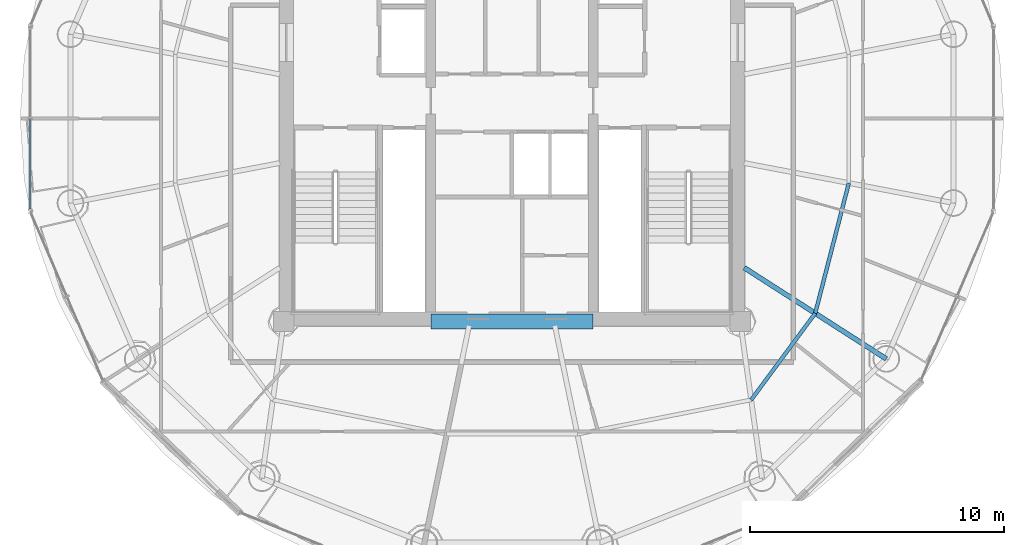
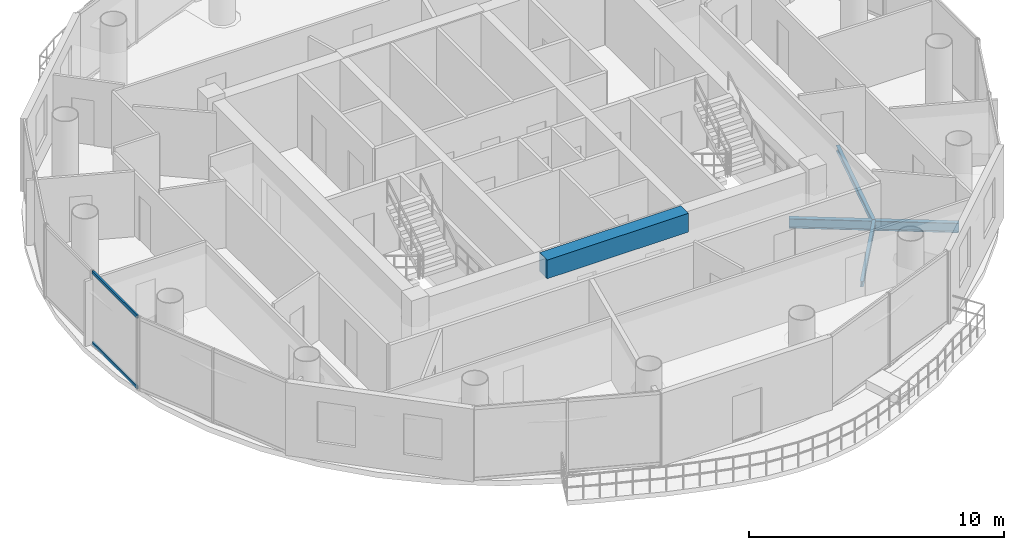
# One storey, part 6 of 21: 4 beams, 2 members, 1 element without a shape of its own.
"""IFC4 building model written with IfcOpenShell, lengths in metres."""

from ifc_helpers import new_model, si_unit, direction, frame, origin, origin_2d, place, context, subcontext, project, spatial, rectangle, hollow_rectangle, i_section, extrude, source, transform, mapped, material, material_profile, profile_set, type_object, element, aggregate, save


model = new_model("IFC4")

# Units and contexts
model_context = context("Model", 3, precision=1e-05, world=origin(), true_north=direction((-0.2419218956, 0.970295726276)))
body_context = subcontext(model_context, "Body", "Model", "MODEL_VIEW")
ifc_project = project(units=[si_unit("LENGTHUNIT", "METRE"), si_unit("AREAUNIT", "SQUARE_METRE"), si_unit("VOLUMEUNIT", "CUBIC_METRE"), si_unit("PLANEANGLEUNIT", "RADIAN"), si_unit("MASSUNIT", "GRAM", prefix="KILO")], contexts=[model_context])

# Site, building, storey
site_placement = place(None, origin())
site = spatial("IfcSite", under=ifc_project, at=site_placement, CompositionType="ELEMENT")
building_placement = place(site_placement, origin())
building = spatial("IfcBuilding", under=site, at=building_placement, Name="Cobrevalo Terracotta Tower", CompositionType="ELEMENT")
storey_placement = place(building_placement, frame((0.0, 0.0, 281.949951171875)))
storey = spatial("IfcBuildingStorey", under=building, at=storey_placement, Name="L74", CompositionType="ELEMENT", Elevation=281.949951171875)

# Beams
ifc_material_1 = material(Name="Concrete C60", Category="concrete")
ifc_material_profile_1 = material_profile(ifc_material_1, rectangle(XDim=0.60009765625, YDim=0.89990234375, at=origin_2d()), Name="RC CB 600x900")
ifc_profile_set_1 = profile_set([ifc_material_profile_1], Name="Concrete C60")
beam_type_1 = type_object("IfcBeamType", Name="Structural Beam RC CB 600x900 (Concrete C60)", PredefinedType="BEAM", material=ifc_profile_set_1)
beam_1_placement = place(storey_placement, frame((34.800048828125, 18.800048828125, 3.0400390625), z_axis=(1.0, 0.0, 0.0), x_axis=(0.0, 1.0, 0.0)))
element("IfcBeam", 1, at=beam_1_placement, inside=storey, type_object=beam_type_1, Name="L74 core coupling beam 1", PredefinedType="BEAM", context=body_context, shape_type="SweptSolid", body=[
    extrude(rectangle(XDim=0.60009765625, YDim=0.89990234375, at=origin_2d()), origin(), (0.0, 0.0, 1.0), 6.39990234375),
])
ifc_material_2 = material(Name="Steel S355", Category="steel")
ifc_material_profile_2 = material_profile(ifc_material_2, i_section(OverallWidth=0.19091796875, OverallDepth=0.4599609375, WebThickness=0.010009765625, FlangeThickness=0.01611328125, at=origin_2d()), Name="W 460x82")
ifc_profile_set_2 = profile_set([ifc_material_profile_2], Name="Steel S355")
beam_type_2 = type_object("IfcBeamType", Name="Structural Beam W 460x82 (Steel S355)", PredefinedType="BEAM", material=ifc_profile_set_2)
beam_2_placement = place(storey_placement, frame((52.758544921875, 17.32763671875, -0.489990234375), z_axis=(-0.84157615512, 0.540138477739, 0.0), x_axis=(-0.540138477739, -0.84157615512, 0.0)))
element("IfcBeam", 2, at=beam_2_placement, inside=storey, type_object=beam_type_2, Name="L74 radial floor girder 15", PredefinedType="BEAM", context=body_context, shape_type="SweptSolid", body=[
    extrude(i_section(OverallWidth=0.19091796875, OverallDepth=0.4599609375, WebThickness=0.010009765625, FlangeThickness=0.01611328125, at=origin_2d()), origin(), (0.0, 0.0, 1.0), 6.658447265625),
])
ifc_material_profile_3 = material_profile(ifc_material_2, i_section(OverallWidth=0.14794921875, OverallDepth=0.26611328125, WebThickness=0.007568359375, FlangeThickness=0.012939453125, at=origin_2d()), Name="W 250x44.8")
ifc_profile_set_3 = profile_set([ifc_material_profile_3], Name="Steel S355")
beam_type_3 = type_object("IfcBeamType", Name="Structural Joist W 250x44.8 (Steel S355)", PredefinedType="JOIST", material=ifc_profile_set_3)
beam_3_placement = place(storey_placement, frame((47.4306640625, 15.711669921875, -0.39306640625), z_axis=(0.594799916617, 0.803873783123, 0.0), x_axis=(-0.803873783123, 0.594799916617, 0.0)))
element("IfcBeam", 3, at=beam_3_placement, inside=storey, type_object=beam_type_3, Name="L74 circumferential secondary floor joist 14", PredefinedType="JOIST", context=body_context, shape_type="SweptSolid", body=[
    extrude(i_section(OverallWidth=0.14794921875, OverallDepth=0.26611328125, WebThickness=0.007568359375, FlangeThickness=0.012939453125, at=origin_2d()), origin(), (0.0, 0.0, 1.0), 4.2470703125),
])
beam_4_placement = place(storey_placement, frame((49.956787109375, 19.125732421875, -0.39306640625), z_axis=(0.249816773293, 0.968293126993, 0.0), x_axis=(-0.968293126993, 0.249816773293, 0.0)))
element("IfcBeam", 4, at=beam_4_placement, inside=storey, type_object=beam_type_3, Name="L74 circumferential secondary floor joist 15", PredefinedType="JOIST", context=body_context, shape_type="SweptSolid", body=[
    extrude(i_section(OverallWidth=0.14794921875, OverallDepth=0.26611328125, WebThickness=0.007568359375, FlangeThickness=0.012939453125, at=origin_2d()), origin(), (0.0, 0.0, 1.0), 5.3046875),
])

# Curtain wall, members
ifc_material_3 = material(Name="Anodized aluminium", Category="aluminium")
curtain_wall_type = type_object("IfcCurtainWallType", Name="Upper-tower triple-glazed penthouse curtain wall CW-U3", PredefinedType="NOTDEFINED", material=ifc_material_3)
curtain_wall_placement = place(storey_placement, origin())
curtain_wall = element("IfcCurtainWall", 5, at=curtain_wall_placement, inside=storey, type_object=curtain_wall_type, Name="L74 curtain wall CW-L74-S08", PredefinedType="NOTDEFINED")
ifc_material_profile_4 = material_profile(ifc_material_3, hollow_rectangle(XDim=0.074951171875, YDim=0.14990234375, WallThickness=0.00439453125, at=origin_2d()), Name="CWT 75x150")
ifc_profile_set_4 = profile_set([ifc_material_profile_4], Name="Anodized aluminium")
member_type = type_object("IfcMemberType", Name="Tower unitised aluminium transom 75x150", PredefinedType="USERDEFINED", material=ifc_profile_set_4)
shared_shape = source(origin(), body_context, "Body", "SweptSolid", [
    extrude(hollow_rectangle(XDim=0.074951171875, YDim=0.14990234375, WallThickness=0.00439453125, at=origin_2d()), origin(), (0.0, 0.0, 1.0), 3.5224609375),
])
member_1_placement = place(storey_placement, frame((19.002197265625, 26.760009765625, 0.050048828125), z_axis=(0.0, -1.0, 0.0), x_axis=(1.0, 0.0, 0.0)))
member_1 = element("IfcMember", 6, at=member_1_placement, type_object=member_type, Name="CW-L74-S08 transom B02-T1", ObjectType="TRANSOM", PredefinedType="USERDEFINED", context=body_context, shape_type="MappedRepresentation", body=[
    mapped(shared_shape, transform((0.0, 0.0, 0.0), scale=1.0)),
])
member_2_placement = place(storey_placement, frame((19.002197265625, 26.760009765625, 3.43994140625), z_axis=(0.0, -1.0, 0.0), x_axis=(1.0, 0.0, 0.0)))
member_2 = element("IfcMember", 7, at=member_2_placement, type_object=member_type, Name="CW-L74-S08 transom B02-T2", ObjectType="TRANSOM", PredefinedType="USERDEFINED", context=body_context, shape_type="MappedRepresentation", body=[
    mapped(shared_shape, transform((0.0, 0.0, 0.0), scale=1.0)),
])
aggregate(curtain_wall, [member_1, member_2])

save(model, "model.ifc")
